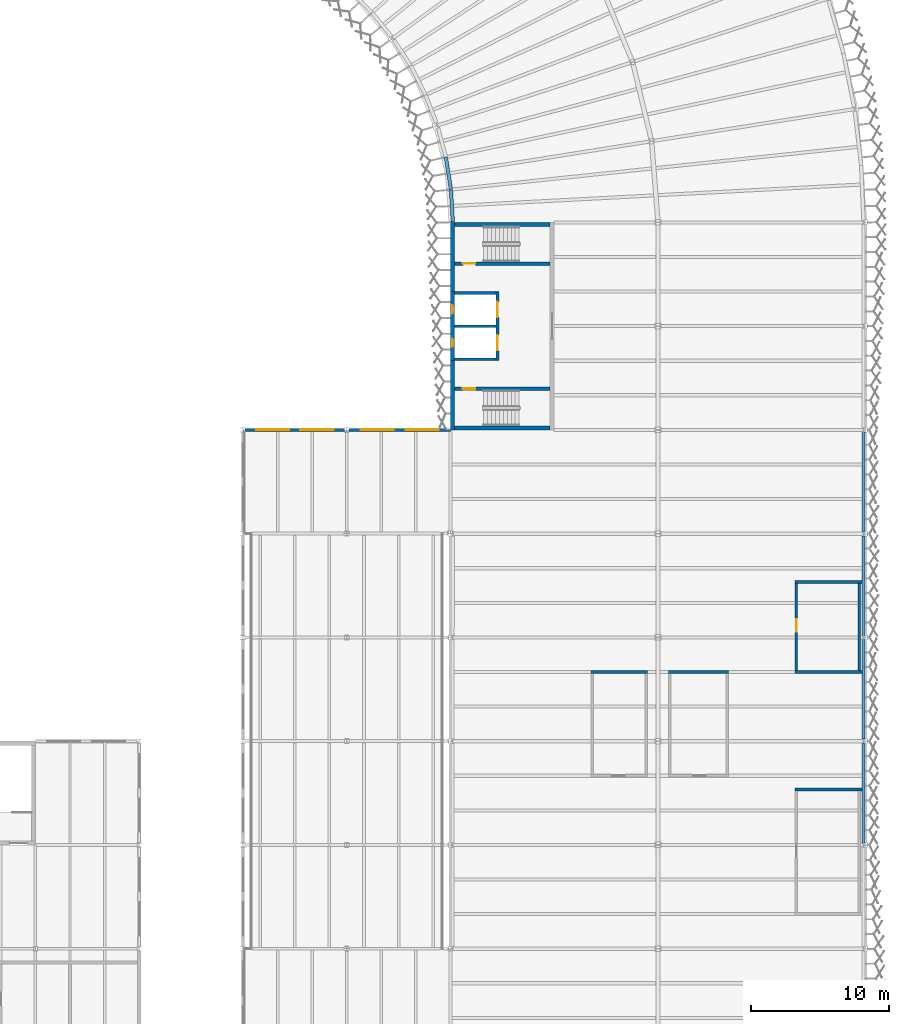
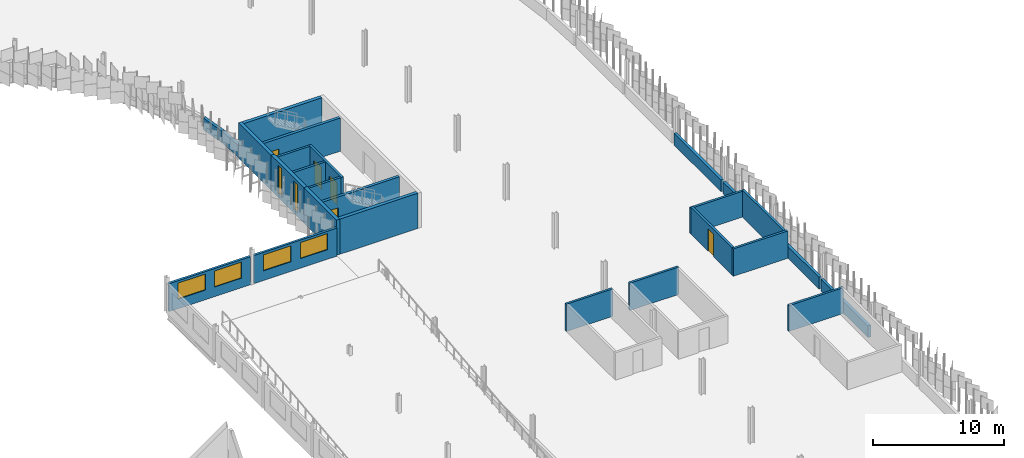
# One storey, part 57 of 198: 26 walls, 6 windows, 5 doors, 11 openings.
"""IFC4 building model written with IfcOpenShell, lengths in metres."""

from ifc_helpers import new_model, si_unit, direction, frame, frame_2d, origin, place, context, subcontext, project, spatial, rectangle, extrude, material, layer, layer_set, type_object, element, fill, save


model = new_model("IFC4")

# Units and contexts
model_context = context("Model", 3, precision=1e-05, world=origin(), true_north=direction((0.0, 1.0)))
body_context = subcontext(model_context, "Body", "Model", "MODEL_VIEW")
ifc_project = project(units=[si_unit("LENGTHUNIT", "METRE"), si_unit("AREAUNIT", "SQUARE_METRE"), si_unit("VOLUMEUNIT", "CUBIC_METRE"), si_unit("PLANEANGLEUNIT", "RADIAN"), si_unit("MASSUNIT", "GRAM", prefix="KILO")], contexts=[model_context])

# Site, building, storey
site_placement = place(None, origin())
site = spatial("IfcSite", under=ifc_project, at=site_placement, CompositionType="ELEMENT")
building_placement = place(site_placement, origin())
building = spatial("IfcBuilding", under=site, at=building_placement, Name="Parallax Yard Mobility Hub", CompositionType="ELEMENT")
storey_placement = place(building_placement, frame((0.0, 0.0, 6.60009765625)))
storey = spatial("IfcBuildingStorey", under=building, at=storey_placement, Name="L02", CompositionType="ELEMENT", Elevation=6.60009765625)

# Wall
ifc_material_1 = material(Name="Concrete fc' 35 MPa", Category="concrete")
ifc_layer_1 = layer(ifc_material_1, 0.300048828125)
ifc_layer_set_1 = layer_set([ifc_layer_1], Name="Concrete fc' 35 MPa core wall 300")
wall_type_1 = type_object("IfcWallType", Name="Concrete fc' 35 MPa core wall 300", PredefinedType="SHEAR", material=ifc_layer_set_1)
wall_1_placement = place(storey_placement, frame((195.14990234375, 75.0, 0.0), z_axis=(0.0, 0.0, 1.0), x_axis=(0.0, 1.0, 0.0)))
element("IfcWall", 1, at=wall_1_placement, inside=storey, type_object=wall_type_1, Name="Core C-E back wall part 1 level L02", PredefinedType="SHEAR", context=body_context, shape_type="SweptSolid", body=[
    extrude(rectangle(XDim=5.0, YDim=0.300048828125, at=frame_2d((2.5, 0.0))), origin(), (0.0, 0.0, 1.0), 3.2998046875),
])

# Wall, openings, windows
wall_2_placement = place(storey_placement, frame((195.14990234375, 80.0, 0.0), z_axis=(0.0, 0.0, 1.0), x_axis=(0.0, 1.0, 0.0)))
wall_2 = element("IfcWall", 2, at=wall_2_placement, inside=storey, type_object=wall_type_1, Name="Core C-E back wall part 2 level L02", PredefinedType="SHEAR", context=body_context, shape_type="SweptSolid", body=[
    extrude(rectangle(XDim=5.0, YDim=0.300048828125, at=frame_2d((2.5, 0.0))), origin(), (0.0, 0.0, 1.0), 3.2998046875),
])
opening_1_placement = place(wall_2_placement, frame((1.0, 0.0, 0.300048828125)))
opening_1 = element("IfcOpeningElement", 3, at=opening_1_placement, cuts=wall_2, Name="Opening CW-S1", PredefinedType="OPENING", context=body_context, shape_type="SweptSolid", body=[
    extrude(rectangle(XDim=0.60009765625, YDim=2.699951171875, at=frame_2d((0.300048828125, 1.35009765625))), frame((0.0, 0.16015625, 0.0), z_axis=(0.0, -1.0, 0.0), x_axis=(1.0, 0.0, 0.0)), (0.0, 0.0, 1.0), 0.320068359375),
])
opening_2_placement = place(wall_2_placement, frame((3.39990234375, 0.0, 0.300048828125)))
opening_2 = element("IfcOpeningElement", 4, at=opening_2_placement, cuts=wall_2, Name="Opening CW-S1", PredefinedType="OPENING", context=body_context, shape_type="SweptSolid", body=[
    extrude(rectangle(XDim=0.60009765625, YDim=2.699951171875, at=frame_2d((0.300048828125, 1.35009765625))), frame((0.0, 0.16015625, 0.0), z_axis=(0.0, -1.0, 0.0), x_axis=(1.0, 0.0, 0.0)), (0.0, 0.0, 1.0), 0.320068359375),
])
ifc_material_2 = material(Name="Fire-resisting glazing in a steel frame", Category="steel")
window_type_1 = type_object("IfcWindowType", Name="Core slot window 600 x 2700", PartitioningType="SINGLE_PANEL", PredefinedType="WINDOW", material=ifc_material_2)
window_1_placement = place(opening_1_placement, origin())
window_1 = element("IfcWindow", 5, at=window_1_placement, inside=storey, type_object=window_type_1, Name="Glazed slot 1, core C-E level L02", OverallHeight=2.699951171875, OverallWidth=0.60009765625, PartitioningType="SINGLE_PANEL", PredefinedType="WINDOW", context=body_context, shape_type="SweptSolid", body=[
    extrude(rectangle(XDim=0.60009765625, YDim=2.699951171875, at=frame_2d((0.300048828125, 1.35009765625))), frame((0.0, 0.030029296875, 0.0), z_axis=(0.0, -1.0, 0.0), x_axis=(1.0, 0.0, 0.0)), (0.0, 0.0, 1.0), 0.06005859375),
])
fill(opening_1, window_1)
window_2_placement = place(opening_2_placement, origin())
window_2 = element("IfcWindow", 6, at=window_2_placement, inside=storey, type_object=window_type_1, Name="Glazed slot 2, core C-E level L02", OverallHeight=2.699951171875, OverallWidth=0.60009765625, PartitioningType="SINGLE_PANEL", PredefinedType="WINDOW", context=body_context, shape_type="SweptSolid", body=[
    extrude(rectangle(XDim=0.60009765625, YDim=2.699951171875, at=frame_2d((0.300048828125, 1.35009765625))), frame((0.0, 0.030029296875, 0.0), z_axis=(0.0, -1.0, 0.0), x_axis=(1.0, 0.0, 0.0)), (0.0, 0.0, 1.0), 0.06005859375),
])
fill(opening_2, window_2)

# Walls
wall_3_placement = place(storey_placement, frame((195.14990234375, 85.0, 0.0), z_axis=(0.0, 0.0, 1.0), x_axis=(0.0, 1.0, 0.0)))
element("IfcWall", 7, at=wall_3_placement, inside=storey, type_object=wall_type_1, Name="Core C-E back wall part 3 level L02", PredefinedType="SHEAR", context=body_context, shape_type="SweptSolid", body=[
    extrude(rectangle(XDim=5.0, YDim=0.300048828125, at=frame_2d((2.5, 0.0))), origin(), (0.0, 0.0, 1.0), 3.2998046875),
])
for number, where, z_axis, x_axis, name in (
    (8, (202.199951171875, 75.14990234375, 0.0), (0.0, 0.0, 1.0), (-1.0, 0.0, 0.0), "Core C-E west-side end wall level L02"),
    (9, (202.199951171875, 89.85009765625, 0.0), (0.0, 0.0, 1.0), (-1.0, 0.0, 0.0), "Core C-E east-side end wall level L02"),
):
    element("IfcWall", number, at=place(storey_placement, frame(where, z_axis=z_axis, x_axis=x_axis)), inside=storey, type_object=wall_type_1, Name=name, PredefinedType="SHEAR", context=body_context, shape_type="SweptSolid", body=[
        extrude(rectangle(XDim=6.89990234375, YDim=0.300048828125, at=frame_2d((3.449951171875, 0.0))), origin(), (0.0, 0.0, 1.0), 3.2998046875),
    ])

# Wall, openings, doors
ifc_layer_2 = layer(ifc_material_1, 0.199951171875)
ifc_layer_set_2 = layer_set([ifc_layer_2], Name="Concrete fc' 35 MPa internal core wall 200")
wall_type_2 = type_object("IfcWallType", Name="Concrete fc' 35 MPa internal core wall 200", PredefinedType="STANDARD", material=ifc_layer_set_2)
wall_4_placement = place(storey_placement, frame((198.39990234375, 80.0, 0.0), z_axis=(0.0, 0.0, 1.0), x_axis=(0.0, 1.0, 0.0)))
wall_4 = element("IfcWall", 10, at=wall_4_placement, inside=storey, type_object=wall_type_2, Name="Core C-E lift front 2 part 2 level L02", PredefinedType="STANDARD", context=body_context, shape_type="SweptSolid", body=[
    extrude(rectangle(XDim=5.0, YDim=0.199951171875, at=frame_2d((2.5, 0.0))), origin(), (0.0, 0.0, 1.0), 3.099853515625),
])
opening_3_placement = place(wall_4_placement, frame((0.75, 0.0, 0.0)))
opening_3 = element("IfcOpeningElement", 11, at=opening_3_placement, cuts=wall_4, Name="Opening L02-D722", PredefinedType="OPENING", context=body_context, shape_type="SweptSolid", body=[
    extrude(rectangle(XDim=1.10009765625, YDim=2.10009765625, at=frame_2d((0.550048828125, 1.050048828125))), frame((0.0, 0.10986328125, 0.0), z_axis=(0.0, -1.0, 0.0), x_axis=(1.0, 0.0, 0.0)), (0.0, 0.0, 1.0), 0.219970703125),
])
opening_4_placement = place(wall_4_placement, frame((3.14990234375, 0.0, 0.0)))
opening_4 = element("IfcOpeningElement", 12, at=opening_4_placement, cuts=wall_4, Name="Opening L02-D723", PredefinedType="OPENING", context=body_context, shape_type="SweptSolid", body=[
    extrude(rectangle(XDim=1.10009765625, YDim=2.10009765625, at=frame_2d((0.550048828125, 1.050048828125))), frame((0.0, 0.10986328125, 0.0), z_axis=(0.0, -1.0, 0.0), x_axis=(1.0, 0.0, 0.0)), (0.0, 0.0, 1.0), 0.219970703125),
])
ifc_material_3 = material(Name="Stainless steel sliding door and frame", Category="steel")
door_type_1 = type_object("IfcDoorType", Name="Lift landing door 1100 x 2100 FD90", OperationType="DOUBLE_DOOR_SLIDING", PredefinedType="DOOR", material=ifc_material_3)
door_1_placement = place(opening_3_placement, origin())
door_1 = element("IfcDoor", 13, at=door_1_placement, inside=storey, type_object=door_type_1, Name="Lift landing door L02-D722, core C-E level L02", OperationType="DOUBLE_DOOR_SLIDING", OverallHeight=2.10009765625, OverallWidth=1.10009765625, PredefinedType="DOOR", context=body_context, shape_type="SweptSolid", body=[
    extrude(rectangle(XDim=1.10009765625, YDim=2.10009765625, at=frame_2d((0.550048828125, 1.050048828125))), frame((0.0, 0.02490234375, 0.0), z_axis=(0.0, -1.0, 0.0), x_axis=(1.0, 0.0, 0.0)), (0.0, 0.0, 1.0), 0.050048828125),
])
fill(opening_3, door_1)
door_2_placement = place(opening_4_placement, origin())
door_2 = element("IfcDoor", 14, at=door_2_placement, inside=storey, type_object=door_type_1, Name="Lift landing door L02-D723, core C-E level L02", OperationType="DOUBLE_DOOR_SLIDING", OverallHeight=2.10009765625, OverallWidth=1.10009765625, PredefinedType="DOOR", context=body_context, shape_type="SweptSolid", body=[
    extrude(rectangle(XDim=1.10009765625, YDim=2.10009765625, at=frame_2d((0.550048828125, 1.050048828125))), frame((0.0, 0.02490234375, 0.0), z_axis=(0.0, -1.0, 0.0), x_axis=(1.0, 0.0, 0.0)), (0.0, 0.0, 1.0), 0.050048828125),
])
fill(opening_4, door_2)

# Walls
for number, where, z_axis, x_axis, name in (
    (15, (198.300048828125, 80.10009765625, 0.0), (0.0, 0.0, 1.0), (-1.0, 0.0, 0.0), "Core C-E lift wall 1 part 1 level L02"),
    (16, (198.300048828125, 82.5, 0.0), (0.0, 0.0, 1.0), (-1.0, 0.0, 0.0), "Core C-E lift wall 2 part 2 level L02"),
    (17, (198.300048828125, 84.89990234375, 0.0), (0.0, 0.0, 1.0), (-1.0, 0.0, 0.0), "Core C-E lift wall 3 part 3 level L02"),
):
    element("IfcWall", number, at=place(storey_placement, frame(where, z_axis=z_axis, x_axis=x_axis)), inside=storey, type_object=wall_type_2, Name=name, PredefinedType="STANDARD", context=body_context, shape_type="SweptSolid", body=[
        extrude(rectangle(XDim=3.0, YDim=0.199951171875, at=frame_2d((1.5, 0.0))), origin(), (0.0, 0.0, 1.0), 3.099853515625),
    ])

# Wall, opening, door
ifc_layer_3 = layer(ifc_material_1, 0.25)
ifc_layer_set_3 = layer_set([ifc_layer_3], Name="Concrete fc' 35 MPa stair enclosure wall 250")
wall_type_3 = type_object("IfcWallType", Name="Concrete fc' 35 MPa stair enclosure wall 250", PredefinedType="STANDARD", material=ifc_layer_set_3)
wall_5_placement = place(storey_placement, frame((202.199951171875, 77.97509765625, 0.0), z_axis=(0.0, 0.0, 1.0), x_axis=(-1.0, 0.0, 0.0)))
wall_5 = element("IfcWall", 18, at=wall_5_placement, inside=storey, type_object=wall_type_3, Name="Core C-E stair 1 partition level L02", PredefinedType="STANDARD", context=body_context, shape_type="SweptSolid", body=[
    extrude(rectangle(XDim=6.89990234375, YDim=0.25, at=frame_2d((3.449951171875, 0.0))), origin(), (0.0, 0.0, 1.0), 3.099853515625),
])
opening_5_placement = place(wall_5_placement, frame((5.39990234375, 0.0, 0.0)))
opening_5 = element("IfcOpeningElement", 19, at=opening_5_placement, cuts=wall_5, Name="Opening L02-D720", PredefinedType="OPENING", context=body_context, shape_type="SweptSolid", body=[
    extrude(rectangle(XDim=0.89990234375, YDim=2.10009765625, at=frame_2d((0.449951171875, 1.050048828125))), frame((0.0, 0.135009765625, 0.0), z_axis=(0.0, -1.0, 0.0), x_axis=(1.0, 0.0, 0.0)), (0.0, 0.0, 1.0), 0.27001953125),
])
ifc_material_4 = material(Name="Hollow metal steel door and frame", Category="steel")
door_type_2 = type_object("IfcDoorType", Name="Core door 900 x 2100 FD90", OperationType="NOTDEFINED", PredefinedType="DOOR", material=ifc_material_4)
door_3_placement = place(opening_5_placement, origin())
door_3 = element("IfcDoor", 20, at=door_3_placement, inside=storey, type_object=door_type_2, Name="Stair lobby door L02-D720, core C-E level L02", OperationType="SINGLE_SWING_LEFT", OverallHeight=2.10009765625, OverallWidth=0.89990234375, PredefinedType="DOOR", context=body_context, shape_type="SweptSolid", body=[
    extrude(rectangle(XDim=0.89990234375, YDim=2.10009765625, at=frame_2d((0.449951171875, 1.050048828125))), frame((0.0, 0.02490234375, 0.0), z_axis=(0.0, -1.0, 0.0), x_axis=(1.0, 0.0, 0.0)), (0.0, 0.0, 1.0), 0.050048828125),
])
fill(opening_5, door_3)

wall_6_placement = place(storey_placement, frame((195.300048828125, 87.02490234375, 0.0), z_axis=(0.0, 0.0, 1.0), x_axis=(1.0, 0.0, 0.0)))
wall_6 = element("IfcWall", 21, at=wall_6_placement, inside=storey, type_object=wall_type_3, Name="Core C-E stair 2 partition level L02", PredefinedType="STANDARD", context=body_context, shape_type="SweptSolid", body=[
    extrude(rectangle(XDim=6.89990234375, YDim=0.25, at=frame_2d((3.449951171875, 0.0))), origin(), (0.0, 0.0, 1.0), 3.099853515625),
])
opening_6_placement = place(wall_6_placement, frame((0.60009765625, 0.0, 0.0)))
opening_6 = element("IfcOpeningElement", 22, at=opening_6_placement, cuts=wall_6, Name="Opening L02-D721", PredefinedType="OPENING", context=body_context, shape_type="SweptSolid", body=[
    extrude(rectangle(XDim=0.89990234375, YDim=2.10009765625, at=frame_2d((0.449951171875, 1.050048828125))), frame((0.0, 0.135009765625, 0.0), z_axis=(0.0, -1.0, 0.0), x_axis=(1.0, 0.0, 0.0)), (0.0, 0.0, 1.0), 0.27001953125),
])
door_4_placement = place(opening_6_placement, origin())
door_4 = element("IfcDoor", 23, at=door_4_placement, inside=storey, type_object=door_type_2, Name="Stair lobby door L02-D721, core C-E level L02", OperationType="SINGLE_SWING_RIGHT", OverallHeight=2.10009765625, OverallWidth=0.89990234375, PredefinedType="DOOR", context=body_context, shape_type="SweptSolid", body=[
    extrude(rectangle(XDim=0.89990234375, YDim=2.10009765625, at=frame_2d((0.449951171875, 1.050048828125))), frame((0.0, 0.02490234375, 0.0), z_axis=(0.0, -1.0, 0.0), x_axis=(1.0, 0.0, 0.0)), (0.0, 0.0, 1.0), 0.050048828125),
])
fill(opening_6, door_4)

# Walls
ifc_layer_4 = layer(ifc_material_1, 0.25)
ifc_layer_set_4 = layer_set([ifc_layer_4], Name="Deck-edge barrier wall, Concrete fc' 35 MPa precast, 250")
wall_type_4 = type_object("IfcWallType", Name="Deck-edge barrier wall, Concrete fc' 35 MPa precast, 250", PredefinedType="SOLIDWALL", material=ifc_layer_set_4)
wall_7_placement = place(storey_placement, frame((194.671630859375, 94.696044921875, 0.0), z_axis=(0.0, 0.0, 1.0), x_axis=(0.155017778241, -0.98791168048, 0.0)))
element("IfcWall", 24, at=wall_7_placement, inside=storey, type_object=wall_type_4, Name="Deck-edge barrier wall bay 22-2 level L02", PredefinedType="SOLIDWALL", context=body_context, shape_type="SweptSolid", body=[
    extrude(rectangle(XDim=2.335693359375, YDim=0.25, at=frame_2d((1.16796875, 0.0))), origin(), (0.0, 0.0, 1.0), 1.099853515625),
])
wall_8_placement = place(storey_placement, frame((195.037109375, 92.355712890625, 0.0), z_axis=(0.0, 0.0, 1.0), x_axis=(0.057361082086, -0.998353497646, 0.0)))
element("IfcWall", 25, at=wall_8_placement, inside=storey, type_object=wall_type_4, Name="Deck-edge barrier wall bay 22-3 level L02", PredefinedType="SOLIDWALL", context=body_context, shape_type="SweptSolid", body=[
    extrude(rectangle(XDim=2.34521484375, YDim=0.25, at=frame_2d((1.172607421875, 0.0))), origin(), (0.0, 0.0, 1.0), 1.099853515625),
])
for number, where, z_axis, x_axis, name in (
    (26, (224.854248046875, 45.151611328125, 0.0), (0.0, 0.0, 1.0), (0.0, 1.0, 0.0), "Deck-edge barrier wall bay 35 level L02"),
    (27, (224.854248046875, 52.651611328125, 0.0), (0.0, 0.0, 1.0), (0.0, 1.0, 0.0), "Deck-edge barrier wall bay 36 level L02"),
    (28, (224.854248046875, 60.151611328125, 0.0), (0.0, 0.0, 1.0), (0.0, 1.0, 0.0), "Deck-edge barrier wall bay 37 level L02"),
    (29, (224.854248046875, 67.651611328125, 0.0), (0.0, 0.0, 1.0), (0.0, 1.0, 0.0), "Deck-edge barrier wall bay 38 level L02"),
):
    element("IfcWall", number, at=place(storey_placement, frame(where, z_axis=z_axis, x_axis=x_axis)), inside=storey, type_object=wall_type_4, Name=name, PredefinedType="SOLIDWALL", context=body_context, shape_type="SweptSolid", body=[
        extrude(rectangle(XDim=7.19677734375, YDim=0.25, at=frame_2d((3.598388671875, 0.0))), origin(), (0.0, 0.0, 1.0), 1.099853515625),
    ])
ifc_material_5 = material(Name="Fire-rated plasterboard partition, two layers each side")
ifc_layer_5 = layer(ifc_material_5, 0.199951171875)
ifc_layer_set_5 = layer_set([ifc_layer_5], Name="Fire-rated partition 200 mm")
wall_type_5 = type_object("IfcWallType", Name="Fire-rated partition 200 mm", PredefinedType="PARTITIONING", material=ifc_layer_set_5)
wall_9_placement = place(storey_placement, frame((219.89990234375, 49.0, 0.0), z_axis=(0.0, 0.0, 1.0), x_axis=(1.0, 0.0, 0.0)))
element("IfcWall", 30, at=wall_9_placement, inside=storey, type_object=wall_type_5, Name="Partition 17 level L02", PredefinedType="PARTITIONING", context=body_context, shape_type="SweptSolid", body=[
    extrude(rectangle(XDim=4.829345703125, YDim=0.199951171875, at=frame_2d((2.41455078125, 0.0))), origin(), (0.0, 0.0, 1.0), 2.409912109375),
])
wall_10_placement = place(storey_placement, frame((205.14990234375, 57.5, 0.0), z_axis=(0.0, 0.0, 1.0), x_axis=(1.0, 0.0, 0.0)))
element("IfcWall", 31, at=wall_10_placement, inside=storey, type_object=wall_type_5, Name="Partition 20 level L02", PredefinedType="PARTITIONING", context=body_context, shape_type="SweptSolid", body=[
    extrude(rectangle(XDim=4.10009765625, YDim=0.199951171875, at=frame_2d((2.050048828125, 0.0))), origin(), (0.0, 0.0, 1.0), 2.557861328125),
])
wall_11_placement = place(storey_placement, frame((210.75, 57.5, 0.0), z_axis=(0.0, 0.0, 1.0), x_axis=(1.0, 0.0, 0.0)))
element("IfcWall", 32, at=wall_11_placement, inside=storey, type_object=wall_type_5, Name="Partition 21 level L02", PredefinedType="PARTITIONING", context=body_context, shape_type="SweptSolid", body=[
    extrude(rectangle(XDim=4.35009765625, YDim=0.199951171875, at=frame_2d((2.175048828125, 0.0))), origin(), (0.0, 0.0, 1.0), 2.557861328125),
])
wall_12_placement = place(storey_placement, frame((219.89990234375, 57.5, 0.0), z_axis=(0.0, 0.0, 1.0), x_axis=(1.0, 0.0, 0.0)))
element("IfcWall", 33, at=wall_12_placement, inside=storey, type_object=wall_type_5, Name="Partition 22 level L02", PredefinedType="PARTITIONING", context=body_context, shape_type="SweptSolid", body=[
    extrude(rectangle(XDim=4.829345703125, YDim=0.199951171875, at=frame_2d((2.41455078125, 0.0))), origin(), (0.0, 0.0, 1.0), 2.557861328125),
])
wall_13_placement = place(storey_placement, frame((219.89990234375, 64.0, 0.0), z_axis=(0.0, 0.0, 1.0), x_axis=(1.0, 0.0, 0.0)))
element("IfcWall", 34, at=wall_13_placement, inside=storey, type_object=wall_type_5, Name="Partition 23 level L02", PredefinedType="PARTITIONING", context=body_context, shape_type="SweptSolid", body=[
    extrude(rectangle(XDim=4.829345703125, YDim=0.199951171875, at=frame_2d((2.41455078125, 0.0))), origin(), (0.0, 0.0, 1.0), 2.409912109375),
])

# Wall, opening, door
wall_14_placement = place(storey_placement, frame((220.0, 57.60009765625, 0.0), z_axis=(0.0, 0.0, 1.0), x_axis=(0.0, 1.0, 0.0)))
wall_14 = element("IfcWall", 35, at=wall_14_placement, inside=storey, type_object=wall_type_5, Name="Partition 57 level L02", PredefinedType="PARTITIONING", context=body_context, shape_type="SweptSolid", body=[
    extrude(rectangle(XDim=6.2998046875, YDim=0.199951171875, at=frame_2d((3.14990234375, 0.0))), origin(), (0.0, 0.0, 1.0), 2.5478515625),
])
opening_7_placement = place(wall_14_placement, frame((2.800048828125, 0.0, 0.0)))
opening_7 = element("IfcOpeningElement", 36, at=opening_7_placement, cuts=wall_14, Name="Opening L02-D217", PredefinedType="OPENING", context=body_context, shape_type="SweptSolid", body=[
    extrude(rectangle(XDim=0.89990234375, YDim=2.10009765625, at=frame_2d((0.449951171875, 1.050048828125))), frame((0.0, 0.10986328125, 0.0), z_axis=(0.0, -1.0, 0.0), x_axis=(1.0, 0.0, 0.0)), (0.0, 0.0, 1.0), 0.219970703125),
])
ifc_material_6 = material(Name="Hollow metal fire door leaf with intumescent seals")
door_type_3 = type_object("IfcDoorType", Name="Fire door 900 mm FD60", OperationType="NOTDEFINED", PredefinedType="DOOR", material=ifc_material_6)
door_5_placement = place(opening_7_placement, origin())
door_5 = element("IfcDoor", 37, at=door_5_placement, inside=storey, type_object=door_type_3, Name="Door L02-D217 Refuse Room", OperationType="SINGLE_SWING_RIGHT", OverallHeight=2.10009765625, OverallWidth=0.89990234375, PredefinedType="DOOR", context=body_context, shape_type="SweptSolid", body=[
    extrude(rectangle(XDim=0.89990234375, YDim=2.10009765625, at=frame_2d((0.449951171875, 1.050048828125))), frame((0.0, 0.02490234375, 0.0), z_axis=(0.0, -1.0, 0.0), x_axis=(1.0, 0.0, 0.0)), (0.0, 0.0, 1.0), 0.050048828125),
])
fill(opening_7, door_5)

# Wall
wall_15_placement = place(storey_placement, frame((224.550048828125, 57.60009765625, 0.0), z_axis=(0.0, 0.0, 1.0), x_axis=(0.0, 1.0, 0.0)))
element("IfcWall", 38, at=wall_15_placement, inside=storey, type_object=wall_type_5, Name="Partition 59 level L02", PredefinedType="PARTITIONING", context=body_context, shape_type="SweptSolid", body=[
    extrude(rectangle(XDim=6.2998046875, YDim=0.199951171875, at=frame_2d((3.14990234375, 0.0))), origin(), (0.0, 0.0, 1.0), 2.5478515625),
])

# Wall, openings, windows
ifc_layer_6 = layer(ifc_material_1, 0.199951171875)
ifc_layer_set_6 = layer_set([ifc_layer_6], Name="Louvre screen wall, Concrete fc' 35 MPa precast, 200")
wall_type_6 = type_object("IfcWallType", Name="Louvre screen wall, Concrete fc' 35 MPa precast, 200", PredefinedType="SOLIDWALL", material=ifc_layer_set_6)
wall_16_placement = place(storey_placement, frame((180.153564453125, 75.0, 0.0), z_axis=(0.0, 0.0, 1.0), x_axis=(1.0, 0.0, 0.0)))
wall_16 = element("IfcWall", 39, at=wall_16_placement, inside=storey, type_object=wall_type_6, Name="Ramp house north wall bay 1 level L02", PredefinedType="SOLIDWALL", context=body_context, shape_type="SweptSolid", body=[
    extrude(rectangle(XDim=7.19287109375, YDim=0.199951171875, at=frame_2d((3.596435546875, 0.0))), origin(), (0.0, 0.0, 1.0), 2.626953125),
])
opening_8_placement = place(wall_16_placement, frame((0.797607421875, 0.0, 0.89990234375)))
opening_8 = element("IfcOpeningElement", 40, at=opening_8_placement, cuts=wall_16, Name="Opening W1", PredefinedType="OPENING", context=body_context, shape_type="SweptSolid", body=[
    extrude(rectangle(XDim=2.39990234375, YDim=1.5, at=frame_2d((1.199951171875, 0.75))), frame((0.0, 0.10986328125, 0.0), z_axis=(0.0, -1.0, 0.0), x_axis=(1.0, 0.0, 0.0)), (0.0, 0.0, 1.0), 0.219970703125),
])
opening_9_placement = place(wall_16_placement, frame((3.995361328125, 0.0, 0.89990234375)))
opening_9 = element("IfcOpeningElement", 41, at=opening_9_placement, cuts=wall_16, Name="Opening W1", PredefinedType="OPENING", context=body_context, shape_type="SweptSolid", body=[
    extrude(rectangle(XDim=2.39990234375, YDim=1.5, at=frame_2d((1.199951171875, 0.75))), frame((0.0, 0.10986328125, 0.0), z_axis=(0.0, -1.0, 0.0), x_axis=(1.0, 0.0, 0.0)), (0.0, 0.0, 1.0), 0.219970703125),
])
ifc_material_7 = material(Name="Double glazed low-E unit in thermally broken aluminium frame", Category="aluminium")
window_type_2 = type_object("IfcWindowType", Name="Window 2400 x 1500", PartitioningType="DOUBLE_PANEL_VERTICAL", PredefinedType="WINDOW", material=ifc_material_7)
window_3_placement = place(opening_8_placement, origin())
window_3 = element("IfcWindow", 42, at=window_3_placement, inside=storey, type_object=window_type_2, Name="Window W1 level L02", OverallHeight=1.5, OverallWidth=2.39990234375, PartitioningType="DOUBLE_PANEL_VERTICAL", PredefinedType="WINDOW", context=body_context, shape_type="SweptSolid", body=[
    extrude(rectangle(XDim=2.39990234375, YDim=1.5, at=frame_2d((1.199951171875, 0.75))), frame((0.0, 0.030029296875, 0.0), z_axis=(0.0, -1.0, 0.0), x_axis=(1.0, 0.0, 0.0)), (0.0, 0.0, 1.0), 0.06005859375),
])
fill(opening_8, window_3)
window_4_placement = place(opening_9_placement, origin())
window_4 = element("IfcWindow", 43, at=window_4_placement, inside=storey, type_object=window_type_2, Name="Window W1 level L02", OverallHeight=1.5, OverallWidth=2.39990234375, PartitioningType="DOUBLE_PANEL_VERTICAL", PredefinedType="WINDOW", context=body_context, shape_type="SweptSolid", body=[
    extrude(rectangle(XDim=2.39990234375, YDim=1.5, at=frame_2d((1.199951171875, 0.75))), frame((0.0, 0.030029296875, 0.0), z_axis=(0.0, -1.0, 0.0), x_axis=(1.0, 0.0, 0.0)), (0.0, 0.0, 1.0), 0.06005859375),
])
fill(opening_9, window_4)

wall_17_placement = place(storey_placement, frame((187.653564453125, 75.0, 0.0), z_axis=(0.0, 0.0, 1.0), x_axis=(1.0, 0.0, 0.0)))
wall_17 = element("IfcWall", 44, at=wall_17_placement, inside=storey, type_object=wall_type_6, Name="Ramp house north wall bay 2 level L02", PredefinedType="SOLIDWALL", context=body_context, shape_type="SweptSolid", body=[
    extrude(rectangle(XDim=7.346435546875, YDim=0.199951171875, at=frame_2d((3.67333984375, 0.0))), origin(), (0.0, 0.0, 1.0), 2.626953125),
])
opening_10_placement = place(wall_17_placement, frame((0.848876953125, 0.0, 0.89990234375)))
opening_10 = element("IfcOpeningElement", 45, at=opening_10_placement, cuts=wall_17, Name="Opening W1", PredefinedType="OPENING", context=body_context, shape_type="SweptSolid", body=[
    extrude(rectangle(XDim=2.39990234375, YDim=1.5, at=frame_2d((1.199951171875, 0.75))), frame((0.0, 0.10986328125, 0.0), z_axis=(0.0, -1.0, 0.0), x_axis=(1.0, 0.0, 0.0)), (0.0, 0.0, 1.0), 0.219970703125),
])
opening_11_placement = place(wall_17_placement, frame((4.09765625, 0.0, 0.89990234375)))
opening_11 = element("IfcOpeningElement", 46, at=opening_11_placement, cuts=wall_17, Name="Opening W1", PredefinedType="OPENING", context=body_context, shape_type="SweptSolid", body=[
    extrude(rectangle(XDim=2.39990234375, YDim=1.5, at=frame_2d((1.199951171875, 0.75))), frame((0.0, 0.10986328125, 0.0), z_axis=(0.0, -1.0, 0.0), x_axis=(1.0, 0.0, 0.0)), (0.0, 0.0, 1.0), 0.219970703125),
])
window_5_placement = place(opening_10_placement, origin())
window_5 = element("IfcWindow", 47, at=window_5_placement, inside=storey, type_object=window_type_2, Name="Window W1 level L02", OverallHeight=1.5, OverallWidth=2.39990234375, PartitioningType="DOUBLE_PANEL_VERTICAL", PredefinedType="WINDOW", context=body_context, shape_type="SweptSolid", body=[
    extrude(rectangle(XDim=2.39990234375, YDim=1.5, at=frame_2d((1.199951171875, 0.75))), frame((0.0, 0.030029296875, 0.0), z_axis=(0.0, -1.0, 0.0), x_axis=(1.0, 0.0, 0.0)), (0.0, 0.0, 1.0), 0.06005859375),
])
fill(opening_10, window_5)
window_6_placement = place(opening_11_placement, origin())
window_6 = element("IfcWindow", 48, at=window_6_placement, inside=storey, type_object=window_type_2, Name="Window W1 level L02", OverallHeight=1.5, OverallWidth=2.39990234375, PartitioningType="DOUBLE_PANEL_VERTICAL", PredefinedType="WINDOW", context=body_context, shape_type="SweptSolid", body=[
    extrude(rectangle(XDim=2.39990234375, YDim=1.5, at=frame_2d((1.199951171875, 0.75))), frame((0.0, 0.030029296875, 0.0), z_axis=(0.0, -1.0, 0.0), x_axis=(1.0, 0.0, 0.0)), (0.0, 0.0, 1.0), 0.06005859375),
])
fill(opening_11, window_6)

save(model, "model.ifc")
